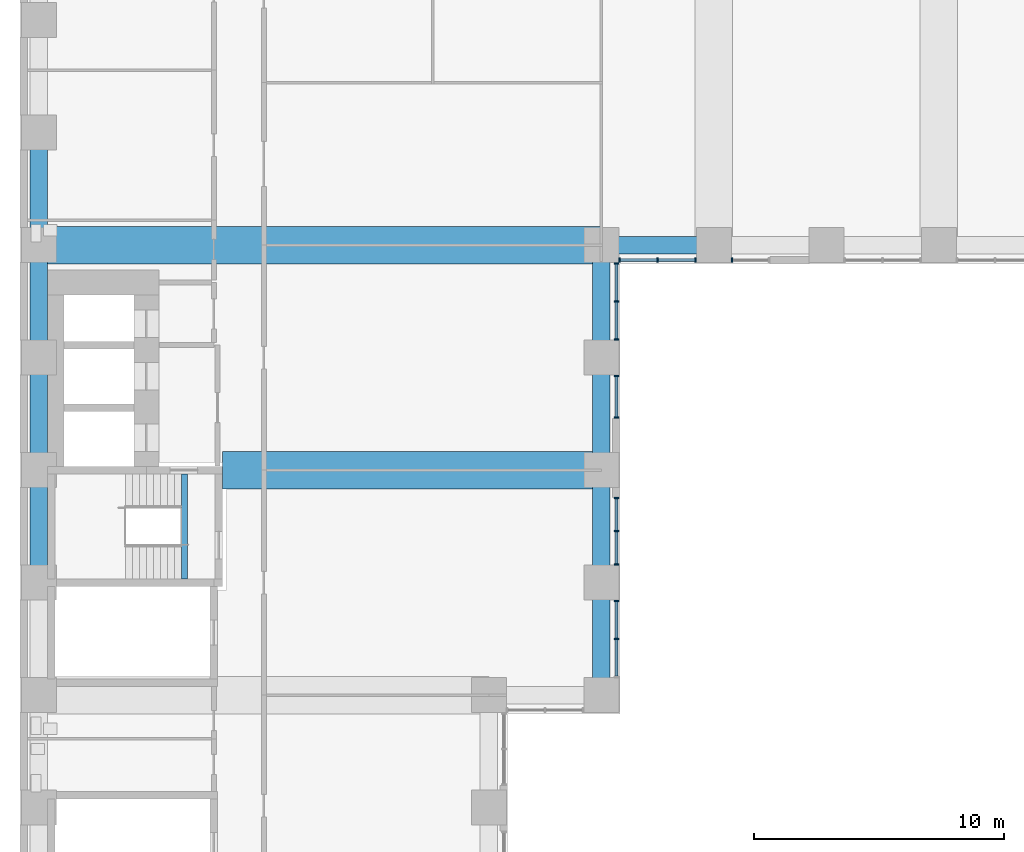
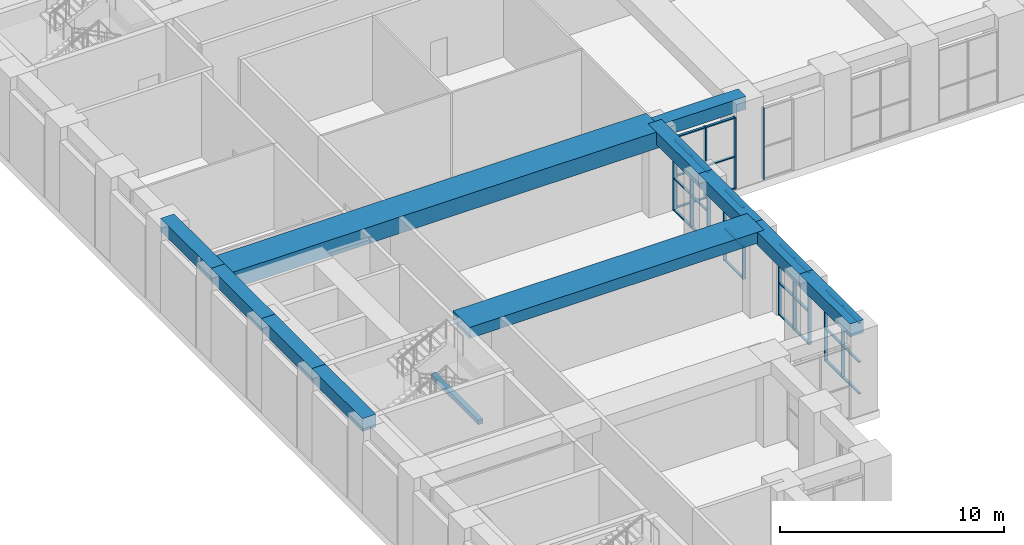
# One storey, part 3 of 34: 41 members, 12 beams, 6 elements without a shape of their own.
"""IFC4 building model written with IfcOpenShell, lengths in metres."""

import ifcopenshell
import ifcopenshell.guid

model = None  # the IFC model being written
_history = None  # IfcOwnerHistory: only IFC2X3 demands one
_inside = {}  # id of a spatial element -> (the spatial element, [elements in it])
_under = {}  # id of a project, library or spatial element -> (it, [spatial elements below it])
_declared = {}  # id of a project -> (the project, [libraries it declares])
_typed = {}  # id of a type object -> (the type object, [elements of that type])
_made_of = {}  # id of a material, layer set ... -> (it, [elements and type objects made of it])


def new_model(schema):
    """Start an empty IFC model of exactly this schema.

    Asked for "IFC4X3", IfcOpenShell would pick the latest addendum, in which some entities
    have other attributes; the version numbers below select the first issue.
    IFC2X3 requires an IfcOwnerHistory on every rooted entity: one is made here for all.
    """
    global model, _history
    if schema == "IFC4X3":
        model = ifcopenshell.file(schema_version=(4, 3, 0, 0))
    else:
        model = ifcopenshell.file(schema=schema)
    _inside.clear()
    _under.clear()
    _declared.clear()
    _typed.clear()
    _made_of.clear()
    _history = None
    if model.schema == "IFC2X3":
        org = make("IfcOrganization", Name="unknown")
        user = make(
            "IfcPersonAndOrganization",
            ThePerson=make("IfcPerson", FamilyName="unknown"),
            TheOrganization=org,
        )
        app = make(
            "IfcApplication",
            ApplicationDeveloper=org,
            Version="unknown",
            ApplicationFullName="unknown",
            ApplicationIdentifier="unknown",
        )
        _history = make(
            "IfcOwnerHistory",
            OwningUser=user,
            OwningApplication=app,
            ChangeAction="ADDED",
            CreationDate=0,
        )
    return model


def make(cls, **values):
    """One entity of the class cls with the attributes given. An attribute that is None is left unset."""
    return model.create_entity(
        cls, **{name: value for name, value in values.items() if value is not None}
    )


def rooted(cls, **values):
    """An entity with a GlobalId (a new one), such as an element, a storey or a relation."""
    return make(cls, GlobalId=ifcopenshell.guid.new(), OwnerHistory=_history, **values)


def si_unit(unit_type, name, prefix=None):
    """IfcSIUnit, for example si_unit("LENGTHUNIT", "METRE", prefix="MILLI")."""
    return make("IfcSIUnit", UnitType=unit_type, Prefix=prefix, Name=name)


def assignment(units):
    """IfcUnitAssignment: the units of a project."""
    return None if units is None else make("IfcUnitAssignment", Units=units)


def point(xyz):
    """IfcCartesianPoint."""
    return None if xyz is None else make("IfcCartesianPoint", Coordinates=xyz)


def direction(xyz):
    """IfcDirection."""
    return None if xyz is None else make("IfcDirection", DirectionRatios=xyz)


def frame(location, z_axis=None, x_axis=None):
    """IfcAxis2Placement3D, a coordinate frame: its origin and axes. An axis left out is left unset."""
    return make(
        "IfcAxis2Placement3D",
        Location=point(location),
        Axis=direction(z_axis),
        RefDirection=direction(x_axis),
    )


def frame_2d(location, x_axis=None):
    """IfcAxis2Placement2D, a coordinate frame in the plane: its origin and x axis."""
    return make(
        "IfcAxis2Placement2D", Location=point(location), RefDirection=direction(x_axis)
    )


def origin():
    """The frame at (0, 0, 0) with its axes left unset."""
    return frame((0.0, 0.0, 0.0))


def origin_2d():
    """The frame at (0, 0) in the plane with its x axis left unset."""
    return frame_2d((0.0, 0.0))


def place(relative_to, where):
    """IfcLocalPlacement: puts the frame where relative to a parent placement (None: the world)."""
    return make(
        "IfcLocalPlacement", PlacementRelTo=relative_to, RelativePlacement=where
    )


def context(
    kind, dimensions, precision=None, world=None, true_north=None, identifier=None
):
    """IfcGeometricRepresentationContext, for example the 3D "Model" context."""
    return make(
        "IfcGeometricRepresentationContext",
        ContextIdentifier=identifier,
        ContextType=kind,
        CoordinateSpaceDimension=dimensions,
        Precision=precision,
        WorldCoordinateSystem=world,
        TrueNorth=true_north,
    )


def subcontext(parent, identifier, kind, view, scale=None):
    """IfcGeometricRepresentationSubContext, for example "Body" below "Model"."""
    return make(
        "IfcGeometricRepresentationSubContext",
        ContextIdentifier=identifier,
        ContextType=kind,
        ParentContext=parent,
        TargetScale=scale,
        TargetView=view,
    )


def project(units=None, contexts=None):
    """IfcProject with its units and contexts."""
    return rooted(
        "IfcProject",
        Name="project",
        RepresentationContexts=contexts,
        UnitsInContext=assignment(units),
    )


def spatial(cls, under=None, at=None, **own):
    """A site, building, storey or space (cls), placed at a placement, below another one or the project."""
    s = rooted(cls, ObjectPlacement=at, **own)
    if under is not None:
        _under.setdefault(under.id(), (under, []))[1].append(s)
    return s


def profile(cls, at=None, kind="AREA", **sizes):
    """A parametric profile (cls). Its sizes go by their IFC names, for example OverallWidth=200.0."""
    return make(cls, ProfileType=kind, Position=at, **sizes)


def rectangle(**sizes):
    """IfcRectangleProfileDef."""
    return profile("IfcRectangleProfileDef", **sizes)


def extrude(swept, where, along, depth):
    """IfcExtrudedAreaSolid: the profile swept, set in the frame where, extruded along a direction by depth."""
    return make(
        "IfcExtrudedAreaSolid",
        SweptArea=swept,
        Position=where,
        ExtrudedDirection=direction(along),
        Depth=depth,
    )


def shape(context_of_items, identifier, shape_type, items):
    """IfcShapeRepresentation: the items that make up one representation, for example the "Body"."""
    return make(
        "IfcShapeRepresentation",
        ContextOfItems=context_of_items,
        RepresentationIdentifier=identifier,
        RepresentationType=shape_type,
        Items=items,
    )


def material(Name=None, Category=None):
    """IfcMaterial."""
    return make("IfcMaterial", Name=Name, Category=Category)


def material_profile(
    of_material, cross_section, Name=None, Category=None, Priority=None
):
    """IfcMaterialProfile: a cross section and its material."""
    return make(
        "IfcMaterialProfile",
        Name=Name,
        Material=of_material,
        Profile=cross_section,
        Priority=Priority,
        Category=Category,
    )


def profile_set(profiles, Name=None, composite=None):
    """IfcMaterialProfileSet."""
    return make(
        "IfcMaterialProfileSet",
        Name=Name,
        MaterialProfiles=profiles,
        CompositeProfile=composite,
    )


def made_of(thing, what):
    """Note that an element or type object is made of a material, layer set ...; save() writes the relation."""
    if what is not None:
        _made_of.setdefault(what.id(), (what, []))[1].append(thing)
    return thing


def type_object(cls, material=None, **own):
    """A type object (cls), such as IfcWallType, which elements share."""
    return made_of(rooted(cls, **own), material)


def element(
    cls,
    number,
    at=None,
    inside=None,
    cuts=None,
    type_object=None,
    material=None,
    context=None,
    identifier="Body",
    shape_type=None,
    held_by="IfcProductDefinitionShape",
    body=None,
    shapes=None,
    **own,
):
    """One element of the class cls, such as IfcWall. Its Tag is "e" and its number.

    at: its placement. inside: the storey or other place that contains it. cuts: it is an
    opening in that element (IfcRelVoidsElement). A single representation is given by context,
    identifier, shape_type and body (its items); several are given by shapes. held_by: the class
    of the entity that holds the representations. save() writes the other relations.
    """
    e = rooted(cls, Tag="e%d" % number, ObjectPlacement=at, **own)
    if body is not None:
        shapes = [shape(context, identifier, shape_type, body)]
    if shapes is not None:
        e.Representation = make(held_by, Representations=shapes)
    if inside is not None:
        _inside.setdefault(inside.id(), (inside, []))[1].append(e)
    if cuts is not None:
        rooted(
            "IfcRelVoidsElement", RelatingBuildingElement=cuts, RelatedOpeningElement=e
        )
    if type_object is not None:
        _typed.setdefault(type_object.id(), (type_object, []))[1].append(e)
    return made_of(e, material)


def aggregate(whole, parts):
    """IfcRelAggregates: a whole, such as a stair, and the parts it consists of."""
    return rooted("IfcRelAggregates", RelatingObject=whole, RelatedObjects=parts)


def save(model, path):
    """Write the relations noted so far, then the file.

    IfcRelAggregates (storeys below a building ...), IfcRelContainedInSpatialStructure (elements
    in a storey), IfcRelDefinesByType, IfcRelAssociatesMaterial and IfcRelDeclares: one each for
    every whole, place, type object, material and project.
    """
    for whole, parts in _under.values():
        aggregate(whole, parts)
    for where, things in _inside.values():
        rooted(
            "IfcRelContainedInSpatialStructure",
            RelatedElements=things,
            RelatingStructure=where,
        )
    for kind, things in _typed.values():
        rooted("IfcRelDefinesByType", RelatedObjects=things, RelatingType=kind)
    for what, things in _made_of.values():
        rooted("IfcRelAssociatesMaterial", RelatedObjects=things, RelatingMaterial=what)
    for by, libraries in _declared.values():
        rooted("IfcRelDeclares", RelatingContext=by, RelatedDefinitions=libraries)
    model.write(path)


model = new_model("IFC4")

# Units and contexts
model_context = context("Model", 3, precision=1e-05, world=origin(), true_north=direction((0.0, 1.0)))
body_context = subcontext(model_context, "Body", "Model", "MODEL_VIEW")
ifc_project = project(units=[si_unit("LENGTHUNIT", "METRE"), si_unit("AREAUNIT", "SQUARE_METRE"), si_unit("VOLUMEUNIT", "CUBIC_METRE"), si_unit("PLANEANGLEUNIT", "RADIAN"), si_unit("MASSUNIT", "GRAM", prefix="KILO")], contexts=[model_context])

# Site, building, storey
site_placement = place(None, origin())
site = spatial("IfcSite", under=ifc_project, at=site_placement, CompositionType="ELEMENT")
building_placement = place(site_placement, origin())
building = spatial("IfcBuilding", under=site, at=building_placement, Name="Firuza Court", CompositionType="ELEMENT")
storey_placement = place(building_placement, frame((0.0, 0.0, 14.0)))
storey = spatial("IfcBuildingStorey", under=building, at=storey_placement, Name="L02", CompositionType="ELEMENT", Elevation=14.0)

# Beams
ifc_material_1 = material(Name="Concrete C40/50", Category="concrete")
ifc_material_profile_1 = material_profile(ifc_material_1, rectangle(XDim=1.5, YDim=0.60009765625, at=origin_2d()), Name="RC 1500x600")
ifc_profile_set_1 = profile_set([ifc_material_profile_1], Name="Concrete C40/50")
beam_type_1 = type_object("IfcBeamType", Name="Band beam RC 1500x600 C40/50", PredefinedType="BEAM", material=ifc_profile_set_1)
beam_1_placement = place(storey_placement, frame((22.5, 27.0, 4.300048828125), z_axis=(-1.0, 0.0, 0.0), x_axis=(0.0, -1.0, 0.0)))
element("IfcBeam", 1, at=beam_1_placement, inside=storey, type_object=beam_type_1, Name="Band beam FB3 level L03", PredefinedType="BEAM", context=body_context, shape_type="SweptSolid", body=[
    extrude(rectangle(XDim=1.5, YDim=0.60009765625, at=origin_2d()), origin(), (0.0, 0.0, 1.0), 15.14990234375),
])
ifc_material_2 = material(Name="Concrete C40/50", Category="concrete")
ifc_material_profile_2 = material_profile(ifc_material_2, rectangle(XDim=1.5, YDim=0.89990234375, at=origin_2d()), Name="RC 1500x900")
ifc_profile_set_2 = profile_set([ifc_material_profile_2], Name="Concrete C40/50")
beam_type_2 = type_object("IfcBeamType", Name="Band beam RC 1500x900 C40/50", PredefinedType="BEAM", material=ifc_profile_set_2)
beam_2_placement = place(storey_placement, frame((0.0, 36.0, 4.14990234375), z_axis=(1.0, 0.0, 0.0), x_axis=(0.0, 1.0, 0.0)))
element("IfcBeam", 2, at=beam_2_placement, inside=storey, type_object=beam_type_2, Name="Band beam FB2 level L03", PredefinedType="BEAM", context=body_context, shape_type="SweptSolid", body=[
    extrude(rectangle(XDim=1.5, YDim=0.89990234375, at=origin_2d()), origin(), (0.0, 0.0, 1.0), 22.5),
])
ifc_material_3 = material(Name="Concrete C40/50", Category="concrete")
ifc_material_profile_3 = material_profile(ifc_material_3, rectangle(XDim=0.25, YDim=0.25, at=origin_2d()), Name="RC 250x250")
ifc_profile_set_3 = profile_set([ifc_material_profile_3], Name="Concrete C40/50")
beam_type_3 = type_object("IfcBeamType", Name="Landing beam RC 250x250 C40/50", PredefinedType="BEAM", material=ifc_profile_set_3)
beam_3_placement = place(storey_placement, frame((5.824951171875, 22.64990234375, 2.175048828125), z_axis=(0.0, 1.0, 0.0), x_axis=(-1.0, 0.0, 0.0)))
element("IfcBeam", 3, at=beam_3_placement, inside=storey, type_object=beam_type_3, Name="Landing beam S2 L02", PredefinedType="BEAM", context=body_context, shape_type="SweptSolid", body=[
    extrude(rectangle(XDim=0.25, YDim=0.25, at=origin_2d()), origin(), (0.0, 0.0, 1.0), 4.2001953125),
])

# Curtain wall, members
ifc_material_4 = material(Name="Aluminium curtain wall, triple clear glazing", Category="aluminium")
curtain_wall_type = type_object("IfcCurtainWallType", Name="Podium unitised curtain wall CW1", PredefinedType="NOTDEFINED", material=ifc_material_4)
curtain_wall_1_placement = place(storey_placement, origin())
curtain_wall_1 = element("IfcCurtainWall", 4, at=curtain_wall_1_placement, inside=storey, type_object=curtain_wall_type, Name="Podium unitised curtain wall CW1 L02", PredefinedType="NOTDEFINED")
ifc_material_5 = material(Name="Aluminium EN AW-6060 T66", Category="aluminium")
ifc_material_profile_4 = material_profile(ifc_material_5, rectangle(XDim=0.179931640625, YDim=0.06005859375, at=origin_2d()), Name="Mullion 180 x 60 CW1")
ifc_profile_set_4 = profile_set([ifc_material_profile_4], Name="Aluminium EN AW-6060 T66")
member_type_1 = type_object("IfcMemberType", Name="Mullion 180 x 60 CW1", PredefinedType="MULLION", material=ifc_profile_set_4)
member_1_placement = place(storey_placement, frame((23.10009765625, 20.25, 0.0), z_axis=(0.0, 0.0, 1.0), x_axis=(-1.0, 0.0, 0.0)))
member_1 = element("IfcMember", 5, at=member_1_placement, type_object=member_type_1, Name="CW1 mullion 2", PredefinedType="MULLION", context=body_context, shape_type="SweptSolid", body=[
    extrude(rectangle(XDim=0.179931640625, YDim=0.06005859375, at=origin_2d()), origin(), (0.0, 0.0, 1.0), 3.89990234375),
])
member_2_placement = place(storey_placement, frame((23.10009765625, 21.77001953125, 0.0), z_axis=(0.0, 0.0, 1.0), x_axis=(-1.0, 0.0, 0.0)))
member_2 = element("IfcMember", 6, at=member_2_placement, type_object=member_type_1, Name="CW1 mullion 3", PredefinedType="MULLION", context=body_context, shape_type="SweptSolid", body=[
    extrude(rectangle(XDim=0.179931640625, YDim=0.06005859375, at=origin_2d()), origin(), (0.0, 0.0, 1.0), 3.89990234375),
])

curtain_wall_2_placement = place(storey_placement, origin())
curtain_wall_2 = element("IfcCurtainWall", 7, at=curtain_wall_2_placement, inside=storey, type_object=curtain_wall_type, Name="Podium unitised curtain wall CW1 L02", PredefinedType="NOTDEFINED")
member_3_placement = place(storey_placement, frame((23.10009765625, 23.22998046875, 0.0), z_axis=(0.0, 0.0, 1.0), x_axis=(-1.0, 0.0, 0.0)))
member_3 = element("IfcMember", 8, at=member_3_placement, type_object=member_type_1, Name="CW1 mullion 1", PredefinedType="MULLION", context=body_context, shape_type="SweptSolid", body=[
    extrude(rectangle(XDim=0.179931640625, YDim=0.06005859375, at=origin_2d()), origin(), (0.0, 0.0, 1.0), 3.89990234375),
])
member_4_placement = place(storey_placement, frame((23.10009765625, 24.55615234375, 0.0), z_axis=(0.0, 0.0, 1.0), x_axis=(-1.0, 0.0, 0.0)))
member_4 = element("IfcMember", 9, at=member_4_placement, type_object=member_type_1, Name="CW1 mullion 2", PredefinedType="MULLION", context=body_context, shape_type="SweptSolid", body=[
    extrude(rectangle(XDim=0.179931640625, YDim=0.06005859375, at=origin_2d()), origin(), (0.0, 0.0, 1.0), 3.89990234375),
])
member_5_placement = place(storey_placement, frame((23.10009765625, 25.88232421875, 0.0), z_axis=(0.0, 0.0, 1.0), x_axis=(-1.0, 0.0, 0.0)))
member_5 = element("IfcMember", 10, at=member_5_placement, type_object=member_type_1, Name="CW1 mullion 3", PredefinedType="MULLION", context=body_context, shape_type="SweptSolid", body=[
    extrude(rectangle(XDim=0.179931640625, YDim=0.06005859375, at=origin_2d()), origin(), (0.0, 0.0, 1.0), 3.89990234375),
])

curtain_wall_3_placement = place(storey_placement, origin())
curtain_wall_3 = element("IfcCurtainWall", 11, at=curtain_wall_3_placement, inside=storey, type_object=curtain_wall_type, Name="Podium unitised curtain wall CW1 L02", PredefinedType="NOTDEFINED")
member_6_placement = place(storey_placement, frame((23.10009765625, 29.0986328125, 0.0), z_axis=(0.0, 0.0, 1.0), x_axis=(-1.0, 0.0, 0.0)))
member_6 = element("IfcMember", 12, at=member_6_placement, type_object=member_type_1, Name="CW1 mullion 1", PredefinedType="MULLION", context=body_context, shape_type="SweptSolid", body=[
    extrude(rectangle(XDim=0.179931640625, YDim=0.06005859375, at=origin_2d()), origin(), (0.0, 0.0, 1.0), 3.89990234375),
])
member_7_placement = place(storey_placement, frame((23.10009765625, 30.77001953125, 0.0), z_axis=(0.0, 0.0, 1.0), x_axis=(-1.0, 0.0, 0.0)))
member_7 = element("IfcMember", 13, at=member_7_placement, type_object=member_type_1, Name="CW1 mullion 2", PredefinedType="MULLION", context=body_context, shape_type="SweptSolid", body=[
    extrude(rectangle(XDim=0.179931640625, YDim=0.06005859375, at=origin_2d()), origin(), (0.0, 0.0, 1.0), 3.89990234375),
])

curtain_wall_4_placement = place(storey_placement, origin())
curtain_wall_4 = element("IfcCurtainWall", 14, at=curtain_wall_4_placement, inside=storey, type_object=curtain_wall_type, Name="Podium unitised curtain wall CW1 L02", PredefinedType="NOTDEFINED")
member_8_placement = place(storey_placement, frame((23.10009765625, 32.22998046875, 0.0), z_axis=(0.0, 0.0, 1.0), x_axis=(-1.0, 0.0, 0.0)))
member_8 = element("IfcMember", 15, at=member_8_placement, type_object=member_type_1, Name="CW1 mullion 1", PredefinedType="MULLION", context=body_context, shape_type="SweptSolid", body=[
    extrude(rectangle(XDim=0.179931640625, YDim=0.06005859375, at=origin_2d()), origin(), (0.0, 0.0, 1.0), 3.89990234375),
])
member_9_placement = place(storey_placement, frame((23.10009765625, 33.75, 0.0), z_axis=(0.0, 0.0, 1.0), x_axis=(-1.0, 0.0, 0.0)))
member_9 = element("IfcMember", 16, at=member_9_placement, type_object=member_type_1, Name="CW1 mullion 2", PredefinedType="MULLION", context=body_context, shape_type="SweptSolid", body=[
    extrude(rectangle(XDim=0.179931640625, YDim=0.06005859375, at=origin_2d()), origin(), (0.0, 0.0, 1.0), 3.89990234375),
])
member_10_placement = place(storey_placement, frame((23.10009765625, 35.27001953125, 0.0), z_axis=(0.0, 0.0, 1.0), x_axis=(-1.0, 0.0, 0.0)))
member_10 = element("IfcMember", 17, at=member_10_placement, type_object=member_type_1, Name="CW1 mullion 3", PredefinedType="MULLION", context=body_context, shape_type="SweptSolid", body=[
    extrude(rectangle(XDim=0.179931640625, YDim=0.06005859375, at=origin_2d()), origin(), (0.0, 0.0, 1.0), 3.89990234375),
])

curtain_wall_5_placement = place(storey_placement, origin())
curtain_wall_5 = element("IfcCurtainWall", 18, at=curtain_wall_5_placement, inside=storey, type_object=curtain_wall_type, Name="Podium unitised curtain wall CW1 L02", PredefinedType="NOTDEFINED")
member_11_placement = place(storey_placement, frame((23.22998046875, 35.39990234375, 0.0), z_axis=(0.0, 0.0, 1.0), x_axis=(0.0, 1.0, 0.0)))
member_11 = element("IfcMember", 19, at=member_11_placement, type_object=member_type_1, Name="CW1 mullion 1", PredefinedType="MULLION", context=body_context, shape_type="SweptSolid", body=[
    extrude(rectangle(XDim=0.179931640625, YDim=0.06005859375, at=origin_2d()), origin(), (0.0, 0.0, 1.0), 3.89990234375),
])
member_12_placement = place(storey_placement, frame((24.75, 35.39990234375, 0.0), z_axis=(0.0, 0.0, 1.0), x_axis=(0.0, 1.0, 0.0)))
member_12 = element("IfcMember", 20, at=member_12_placement, type_object=member_type_1, Name="CW1 mullion 2", PredefinedType="MULLION", context=body_context, shape_type="SweptSolid", body=[
    extrude(rectangle(XDim=0.179931640625, YDim=0.06005859375, at=origin_2d()), origin(), (0.0, 0.0, 1.0), 3.89990234375),
])
member_13_placement = place(storey_placement, frame((26.27001953125, 35.39990234375, 0.0), z_axis=(0.0, 0.0, 1.0), x_axis=(0.0, 1.0, 0.0)))
member_13 = element("IfcMember", 21, at=member_13_placement, type_object=member_type_1, Name="CW1 mullion 3", PredefinedType="MULLION", context=body_context, shape_type="SweptSolid", body=[
    extrude(rectangle(XDim=0.179931640625, YDim=0.06005859375, at=origin_2d()), origin(), (0.0, 0.0, 1.0), 3.89990234375),
])

# Curtain wall, member
curtain_wall_6_placement = place(storey_placement, origin())
curtain_wall_6 = element("IfcCurtainWall", 22, at=curtain_wall_6_placement, inside=storey, type_object=curtain_wall_type, Name="Podium unitised curtain wall CW1 L02", PredefinedType="NOTDEFINED")
member_14_placement = place(storey_placement, frame((27.72998046875, 35.39990234375, 0.0), z_axis=(0.0, 0.0, 1.0), x_axis=(0.0, 1.0, 0.0)))
member_14 = element("IfcMember", 23, at=member_14_placement, type_object=member_type_1, Name="CW1 mullion 1", PredefinedType="MULLION", context=body_context, shape_type="SweptSolid", body=[
    extrude(rectangle(XDim=0.179931640625, YDim=0.06005859375, at=origin_2d()), origin(), (0.0, 0.0, 1.0), 3.89990234375),
])
aggregate(curtain_wall_6, [member_14])

# Beams
ifc_material_6 = material(Name="Concrete C40/50", Category="concrete")
ifc_material_profile_5 = material_profile(ifc_material_6, rectangle(XDim=0.699951171875, YDim=0.699951171875, at=origin_2d()), Name="RC 700x700")
ifc_profile_set_5 = profile_set([ifc_material_profile_5], Name="Concrete C40/50")
beam_type_4 = type_object("IfcBeamType", Name="Spandrel beam RC 700x700 C40/50", PredefinedType="BEAM", material=ifc_profile_set_5)
for number, where, z_axis, x_axis, name in (
    (24, (0.0, 27.0, 4.25), (0.0, -1.0, 0.0), (1.0, 0.0, 0.0), "Spandrel beam SP8 level L03"),
    (25, (0.0, 31.5, 4.25), (0.0, -1.0, 0.0), (1.0, 0.0, 0.0), "Spandrel beam SP8 level L03"),
    (26, (0.0, 36.0, 4.25), (0.0, -1.0, 0.0), (1.0, 0.0, 0.0), "Spandrel beam SP8 level L03"),
    (27, (0.0, 40.5, 4.25), (0.0, -1.0, 0.0), (1.0, 0.0, 0.0), "Spandrel beam SP8 level L03"),
    (28, (22.5, 18.0, 4.25), (0.0, 1.0, 0.0), (-1.0, 0.0, 0.0), "Spandrel beam SP8 level L03"),
    (29, (22.5, 22.5, 4.25), (0.0, 1.0, 0.0), (-1.0, 0.0, 0.0), "Spandrel beam SP8 level L03"),
    (30, (22.5, 27.0, 4.25), (0.0, 1.0, 0.0), (-1.0, 0.0, 0.0), "Spandrel beam SP8 level L03"),
    (31, (22.5, 31.5, 4.25), (0.0, 1.0, 0.0), (-1.0, 0.0, 0.0), "Spandrel beam SP8 level L03"),
    (32, (22.5, 36.0, 4.25), (1.0, 0.0, 0.0), (0.0, 1.0, 0.0), "Spandrel beam SP8 level L03"),
):
    element("IfcBeam", number, at=place(storey_placement, frame(where, z_axis=z_axis, x_axis=x_axis)), inside=storey, type_object=beam_type_4, Name=name, PredefinedType="BEAM", context=body_context, shape_type="SweptSolid", body=[
        extrude(rectangle(XDim=0.699951171875, YDim=0.699951171875, at=origin_2d()), origin(), (0.0, 0.0, 1.0), 4.5),
    ])

# Member
ifc_material_7 = material(Name="Aluminium EN AW-6060 T66", Category="aluminium")
ifc_material_profile_6 = material_profile(ifc_material_7, rectangle(XDim=0.1201171875, YDim=0.06005859375, at=origin_2d()), Name="Transom 120 x 60 CW1")
ifc_profile_set_6 = profile_set([ifc_material_profile_6], Name="Aluminium EN AW-6060 T66")
member_type_2 = type_object("IfcMemberType", Name="Transom 120 x 60 CW1", PredefinedType="USERDEFINED", material=ifc_profile_set_6)
member_15_placement = place(storey_placement, frame((23.10009765625, 18.760009765625, 0.030029296875), z_axis=(0.0, 1.0, 0.0), x_axis=(-1.0, 0.0, 0.0)))
member_15 = element("IfcMember", 33, at=member_15_placement, type_object=member_type_2, Name="CW1 transom 1.1", ObjectType="TRANSOM", PredefinedType="USERDEFINED", context=body_context, shape_type="SweptSolid", body=[
    extrude(rectangle(XDim=0.1201171875, YDim=0.06005859375, at=origin_2d()), origin(), (0.0, 0.0, 1.0), 1.4599609375),
])

member_16_placement = place(storey_placement, frame((23.10009765625, 18.760009765625, 1.7548828125), z_axis=(0.0, 1.0, 0.0), x_axis=(-1.0, 0.0, 0.0)))
member_16 = element("IfcMember", 34, at=member_16_placement, type_object=member_type_2, Name="CW1 transom 1.2", ObjectType="TRANSOM", PredefinedType="USERDEFINED", context=body_context, shape_type="SweptSolid", body=[
    extrude(rectangle(XDim=0.1201171875, YDim=0.06005859375, at=origin_2d()), origin(), (0.0, 0.0, 1.0), 1.4599609375),
])

member_17_placement = place(storey_placement, frame((23.10009765625, 18.760009765625, 3.8701171875), z_axis=(0.0, 1.0, 0.0), x_axis=(-1.0, 0.0, 0.0)))
member_17 = element("IfcMember", 35, at=member_17_placement, type_object=member_type_2, Name="CW1 transom 1.3", ObjectType="TRANSOM", PredefinedType="USERDEFINED", context=body_context, shape_type="SweptSolid", body=[
    extrude(rectangle(XDim=0.1201171875, YDim=0.06005859375, at=origin_2d()), origin(), (0.0, 0.0, 1.0), 1.4599609375),
])

member_18_placement = place(storey_placement, frame((23.10009765625, 20.280029296875, 0.030029296875), z_axis=(0.0, 1.0, 0.0), x_axis=(-1.0, 0.0, 0.0)))
member_18 = element("IfcMember", 36, at=member_18_placement, type_object=member_type_2, Name="CW1 transom 2.1", ObjectType="TRANSOM", PredefinedType="USERDEFINED", context=body_context, shape_type="SweptSolid", body=[
    extrude(rectangle(XDim=0.1201171875, YDim=0.06005859375, at=origin_2d()), origin(), (0.0, 0.0, 1.0), 1.4599609375),
])

member_19_placement = place(storey_placement, frame((23.10009765625, 20.280029296875, 1.7548828125), z_axis=(0.0, 1.0, 0.0), x_axis=(-1.0, 0.0, 0.0)))
member_19 = element("IfcMember", 37, at=member_19_placement, type_object=member_type_2, Name="CW1 transom 2.2", ObjectType="TRANSOM", PredefinedType="USERDEFINED", context=body_context, shape_type="SweptSolid", body=[
    extrude(rectangle(XDim=0.1201171875, YDim=0.06005859375, at=origin_2d()), origin(), (0.0, 0.0, 1.0), 1.4599609375),
])

member_20_placement = place(storey_placement, frame((23.10009765625, 20.280029296875, 3.8701171875), z_axis=(0.0, 1.0, 0.0), x_axis=(-1.0, 0.0, 0.0)))
member_20 = element("IfcMember", 38, at=member_20_placement, type_object=member_type_2, Name="CW1 transom 2.3", ObjectType="TRANSOM", PredefinedType="USERDEFINED", context=body_context, shape_type="SweptSolid", body=[
    extrude(rectangle(XDim=0.1201171875, YDim=0.06005859375, at=origin_2d()), origin(), (0.0, 0.0, 1.0), 1.4599609375),
])

aggregate(curtain_wall_1, [member_1, member_2, member_15, member_16, member_17, member_18, member_19, member_20])

member_21_placement = place(storey_placement, frame((23.10009765625, 23.260009765625, 0.030029296875), z_axis=(0.0, 1.0, 0.0), x_axis=(-1.0, 0.0, 0.0)))
member_21 = element("IfcMember", 39, at=member_21_placement, type_object=member_type_2, Name="CW1 transom 1.1", ObjectType="TRANSOM", PredefinedType="USERDEFINED", context=body_context, shape_type="SweptSolid", body=[
    extrude(rectangle(XDim=0.1201171875, YDim=0.06005859375, at=origin_2d()), origin(), (0.0, 0.0, 1.0), 1.26611328125),
])

member_22_placement = place(storey_placement, frame((23.10009765625, 23.260009765625, 1.7548828125), z_axis=(0.0, 1.0, 0.0), x_axis=(-1.0, 0.0, 0.0)))
member_22 = element("IfcMember", 40, at=member_22_placement, type_object=member_type_2, Name="CW1 transom 1.2", ObjectType="TRANSOM", PredefinedType="USERDEFINED", context=body_context, shape_type="SweptSolid", body=[
    extrude(rectangle(XDim=0.1201171875, YDim=0.06005859375, at=origin_2d()), origin(), (0.0, 0.0, 1.0), 1.26611328125),
])

member_23_placement = place(storey_placement, frame((23.10009765625, 23.260009765625, 3.8701171875), z_axis=(0.0, 1.0, 0.0), x_axis=(-1.0, 0.0, 0.0)))
member_23 = element("IfcMember", 41, at=member_23_placement, type_object=member_type_2, Name="CW1 transom 1.3", ObjectType="TRANSOM", PredefinedType="USERDEFINED", context=body_context, shape_type="SweptSolid", body=[
    extrude(rectangle(XDim=0.1201171875, YDim=0.06005859375, at=origin_2d()), origin(), (0.0, 0.0, 1.0), 1.26611328125),
])

member_24_placement = place(storey_placement, frame((23.10009765625, 24.586181640625, 0.030029296875), z_axis=(0.0, 1.0, 0.0), x_axis=(-1.0, 0.0, 0.0)))
member_24 = element("IfcMember", 42, at=member_24_placement, type_object=member_type_2, Name="CW1 transom 2.1", ObjectType="TRANSOM", PredefinedType="USERDEFINED", context=body_context, shape_type="SweptSolid", body=[
    extrude(rectangle(XDim=0.1201171875, YDim=0.06005859375, at=origin_2d()), origin(), (0.0, 0.0, 1.0), 1.26611328125),
])

member_25_placement = place(storey_placement, frame((23.10009765625, 24.586181640625, 1.7548828125), z_axis=(0.0, 1.0, 0.0), x_axis=(-1.0, 0.0, 0.0)))
member_25 = element("IfcMember", 43, at=member_25_placement, type_object=member_type_2, Name="CW1 transom 2.2", ObjectType="TRANSOM", PredefinedType="USERDEFINED", context=body_context, shape_type="SweptSolid", body=[
    extrude(rectangle(XDim=0.1201171875, YDim=0.06005859375, at=origin_2d()), origin(), (0.0, 0.0, 1.0), 1.26611328125),
])

member_26_placement = place(storey_placement, frame((23.10009765625, 24.586181640625, 3.8701171875), z_axis=(0.0, 1.0, 0.0), x_axis=(-1.0, 0.0, 0.0)))
member_26 = element("IfcMember", 44, at=member_26_placement, type_object=member_type_2, Name="CW1 transom 2.3", ObjectType="TRANSOM", PredefinedType="USERDEFINED", context=body_context, shape_type="SweptSolid", body=[
    extrude(rectangle(XDim=0.1201171875, YDim=0.06005859375, at=origin_2d()), origin(), (0.0, 0.0, 1.0), 1.26611328125),
])

aggregate(curtain_wall_2, [member_3, member_4, member_5, member_21, member_22, member_23, member_24, member_25, member_26])

member_27_placement = place(storey_placement, frame((23.10009765625, 29.128662109375, 0.030029296875), z_axis=(0.0, 1.0, 0.0), x_axis=(-1.0, 0.0, 0.0)))
member_27 = element("IfcMember", 45, at=member_27_placement, type_object=member_type_2, Name="CW1 transom 1.1", ObjectType="TRANSOM", PredefinedType="USERDEFINED", context=body_context, shape_type="SweptSolid", body=[
    extrude(rectangle(XDim=0.1201171875, YDim=0.06005859375, at=origin_2d()), origin(), (0.0, 0.0, 1.0), 1.611328125),
])

member_28_placement = place(storey_placement, frame((23.10009765625, 29.128662109375, 1.7548828125), z_axis=(0.0, 1.0, 0.0), x_axis=(-1.0, 0.0, 0.0)))
member_28 = element("IfcMember", 46, at=member_28_placement, type_object=member_type_2, Name="CW1 transom 1.2", ObjectType="TRANSOM", PredefinedType="USERDEFINED", context=body_context, shape_type="SweptSolid", body=[
    extrude(rectangle(XDim=0.1201171875, YDim=0.06005859375, at=origin_2d()), origin(), (0.0, 0.0, 1.0), 1.611328125),
])

member_29_placement = place(storey_placement, frame((23.10009765625, 29.128662109375, 3.8701171875), z_axis=(0.0, 1.0, 0.0), x_axis=(-1.0, 0.0, 0.0)))
member_29 = element("IfcMember", 47, at=member_29_placement, type_object=member_type_2, Name="CW1 transom 1.3", ObjectType="TRANSOM", PredefinedType="USERDEFINED", context=body_context, shape_type="SweptSolid", body=[
    extrude(rectangle(XDim=0.1201171875, YDim=0.06005859375, at=origin_2d()), origin(), (0.0, 0.0, 1.0), 1.611328125),
])

aggregate(curtain_wall_3, [member_6, member_7, member_27, member_28, member_29])

member_30_placement = place(storey_placement, frame((23.10009765625, 32.260009765625, 0.030029296875), z_axis=(0.0, 1.0, 0.0), x_axis=(-1.0, 0.0, 0.0)))
member_30 = element("IfcMember", 48, at=member_30_placement, type_object=member_type_2, Name="CW1 transom 1.1", ObjectType="TRANSOM", PredefinedType="USERDEFINED", context=body_context, shape_type="SweptSolid", body=[
    extrude(rectangle(XDim=0.1201171875, YDim=0.06005859375, at=origin_2d()), origin(), (0.0, 0.0, 1.0), 1.4599609375),
])

member_31_placement = place(storey_placement, frame((23.10009765625, 32.260009765625, 1.7548828125), z_axis=(0.0, 1.0, 0.0), x_axis=(-1.0, 0.0, 0.0)))
member_31 = element("IfcMember", 49, at=member_31_placement, type_object=member_type_2, Name="CW1 transom 1.2", ObjectType="TRANSOM", PredefinedType="USERDEFINED", context=body_context, shape_type="SweptSolid", body=[
    extrude(rectangle(XDim=0.1201171875, YDim=0.06005859375, at=origin_2d()), origin(), (0.0, 0.0, 1.0), 1.4599609375),
])

member_32_placement = place(storey_placement, frame((23.10009765625, 32.260009765625, 3.8701171875), z_axis=(0.0, 1.0, 0.0), x_axis=(-1.0, 0.0, 0.0)))
member_32 = element("IfcMember", 50, at=member_32_placement, type_object=member_type_2, Name="CW1 transom 1.3", ObjectType="TRANSOM", PredefinedType="USERDEFINED", context=body_context, shape_type="SweptSolid", body=[
    extrude(rectangle(XDim=0.1201171875, YDim=0.06005859375, at=origin_2d()), origin(), (0.0, 0.0, 1.0), 1.4599609375),
])

member_33_placement = place(storey_placement, frame((23.10009765625, 33.780029296875, 0.030029296875), z_axis=(0.0, 1.0, 0.0), x_axis=(-1.0, 0.0, 0.0)))
member_33 = element("IfcMember", 51, at=member_33_placement, type_object=member_type_2, Name="CW1 transom 2.1", ObjectType="TRANSOM", PredefinedType="USERDEFINED", context=body_context, shape_type="SweptSolid", body=[
    extrude(rectangle(XDim=0.1201171875, YDim=0.06005859375, at=origin_2d()), origin(), (0.0, 0.0, 1.0), 1.4599609375),
])

member_34_placement = place(storey_placement, frame((23.10009765625, 33.780029296875, 1.7548828125), z_axis=(0.0, 1.0, 0.0), x_axis=(-1.0, 0.0, 0.0)))
member_34 = element("IfcMember", 52, at=member_34_placement, type_object=member_type_2, Name="CW1 transom 2.2", ObjectType="TRANSOM", PredefinedType="USERDEFINED", context=body_context, shape_type="SweptSolid", body=[
    extrude(rectangle(XDim=0.1201171875, YDim=0.06005859375, at=origin_2d()), origin(), (0.0, 0.0, 1.0), 1.4599609375),
])

member_35_placement = place(storey_placement, frame((23.10009765625, 33.780029296875, 3.8701171875), z_axis=(0.0, 1.0, 0.0), x_axis=(-1.0, 0.0, 0.0)))
member_35 = element("IfcMember", 53, at=member_35_placement, type_object=member_type_2, Name="CW1 transom 2.3", ObjectType="TRANSOM", PredefinedType="USERDEFINED", context=body_context, shape_type="SweptSolid", body=[
    extrude(rectangle(XDim=0.1201171875, YDim=0.06005859375, at=origin_2d()), origin(), (0.0, 0.0, 1.0), 1.4599609375),
])

aggregate(curtain_wall_4, [member_8, member_9, member_10, member_30, member_31, member_32, member_33, member_34, member_35])

member_36_placement = place(storey_placement, frame((23.260009765625, 35.39990234375, 0.030029296875), z_axis=(1.0, 0.0, 0.0), x_axis=(0.0, 1.0, 0.0)))
member_36 = element("IfcMember", 54, at=member_36_placement, type_object=member_type_2, Name="CW1 transom 1.1", ObjectType="TRANSOM", PredefinedType="USERDEFINED", context=body_context, shape_type="SweptSolid", body=[
    extrude(rectangle(XDim=0.1201171875, YDim=0.06005859375, at=origin_2d()), origin(), (0.0, 0.0, 1.0), 1.4599609375),
])

member_37_placement = place(storey_placement, frame((23.260009765625, 35.39990234375, 1.7548828125), z_axis=(1.0, 0.0, 0.0), x_axis=(0.0, 1.0, 0.0)))
member_37 = element("IfcMember", 55, at=member_37_placement, type_object=member_type_2, Name="CW1 transom 1.2", ObjectType="TRANSOM", PredefinedType="USERDEFINED", context=body_context, shape_type="SweptSolid", body=[
    extrude(rectangle(XDim=0.1201171875, YDim=0.06005859375, at=origin_2d()), origin(), (0.0, 0.0, 1.0), 1.4599609375),
])

member_38_placement = place(storey_placement, frame((23.260009765625, 35.39990234375, 3.8701171875), z_axis=(1.0, 0.0, 0.0), x_axis=(0.0, 1.0, 0.0)))
member_38 = element("IfcMember", 56, at=member_38_placement, type_object=member_type_2, Name="CW1 transom 1.3", ObjectType="TRANSOM", PredefinedType="USERDEFINED", context=body_context, shape_type="SweptSolid", body=[
    extrude(rectangle(XDim=0.1201171875, YDim=0.06005859375, at=origin_2d()), origin(), (0.0, 0.0, 1.0), 1.4599609375),
])

member_39_placement = place(storey_placement, frame((24.780029296875, 35.39990234375, 0.030029296875), z_axis=(1.0, 0.0, 0.0), x_axis=(0.0, 1.0, 0.0)))
member_39 = element("IfcMember", 57, at=member_39_placement, type_object=member_type_2, Name="CW1 transom 2.1", ObjectType="TRANSOM", PredefinedType="USERDEFINED", context=body_context, shape_type="SweptSolid", body=[
    extrude(rectangle(XDim=0.1201171875, YDim=0.06005859375, at=origin_2d()), origin(), (0.0, 0.0, 1.0), 1.4599609375),
])

member_40_placement = place(storey_placement, frame((24.780029296875, 35.39990234375, 1.7548828125), z_axis=(1.0, 0.0, 0.0), x_axis=(0.0, 1.0, 0.0)))
member_40 = element("IfcMember", 58, at=member_40_placement, type_object=member_type_2, Name="CW1 transom 2.2", ObjectType="TRANSOM", PredefinedType="USERDEFINED", context=body_context, shape_type="SweptSolid", body=[
    extrude(rectangle(XDim=0.1201171875, YDim=0.06005859375, at=origin_2d()), origin(), (0.0, 0.0, 1.0), 1.4599609375),
])

member_41_placement = place(storey_placement, frame((24.780029296875, 35.39990234375, 3.8701171875), z_axis=(1.0, 0.0, 0.0), x_axis=(0.0, 1.0, 0.0)))
member_41 = element("IfcMember", 59, at=member_41_placement, type_object=member_type_2, Name="CW1 transom 2.3", ObjectType="TRANSOM", PredefinedType="USERDEFINED", context=body_context, shape_type="SweptSolid", body=[
    extrude(rectangle(XDim=0.1201171875, YDim=0.06005859375, at=origin_2d()), origin(), (0.0, 0.0, 1.0), 1.4599609375),
])

aggregate(curtain_wall_5, [member_11, member_12, member_13, member_36, member_37, member_38, member_39, member_40, member_41])

save(model, "model.ifc")
